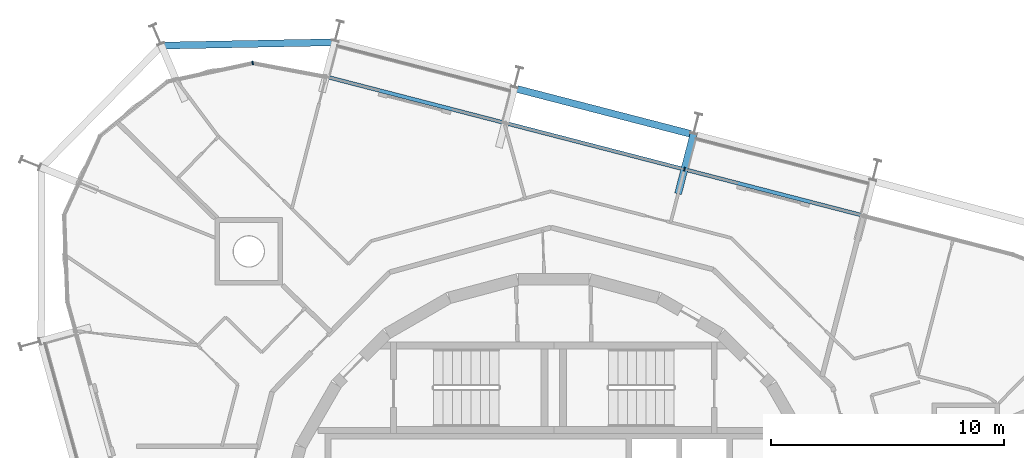
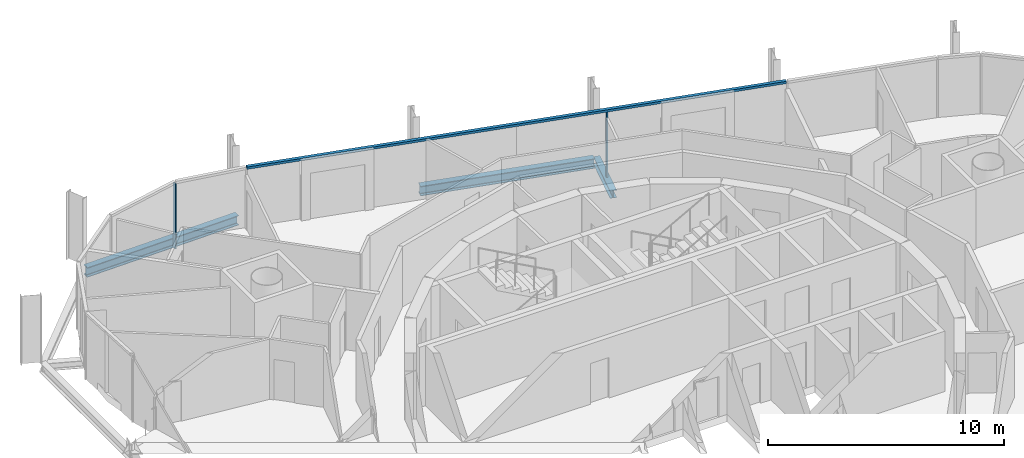
# One storey, part 6 of 15: 3 beams, 3 members, 2 elements without a shape of their own.
"""IFC4 building model written with IfcOpenShell, lengths in metres."""

from ifc_helpers import new_model, si_unit, direction, frame, origin, origin_2d, place, context, subcontext, project, spatial, rectangle, i_section, extrude, material, layer, layer_set, material_profile, profile_set, type_object, element, aggregate, save


model = new_model("IFC4")

# Units and contexts
model_context = context("Model", 3, precision=1e-05, world=origin(), true_north=direction((0.0, 1.0)))
body_context = subcontext(model_context, "Body", "Model", "MODEL_VIEW")
ifc_project = project(units=[si_unit("LENGTHUNIT", "METRE"), si_unit("AREAUNIT", "SQUARE_METRE"), si_unit("VOLUMEUNIT", "CUBIC_METRE"), si_unit("PLANEANGLEUNIT", "RADIAN"), si_unit("MASSUNIT", "GRAM", prefix="KILO")], contexts=[model_context])

# Site, building, storey
site_placement = place(None, origin())
site = spatial("IfcSite", under=ifc_project, at=site_placement, CompositionType="ELEMENT")
building_placement = place(site_placement, origin())
building = spatial("IfcBuilding", under=site, at=building_placement, Name="Spindle Arch Residences", CompositionType="ELEMENT")
storey_placement = place(building_placement, frame((0.0, 0.0, 315.699951171875)))
storey = spatial("IfcBuildingStorey", under=building, at=storey_placement, Name="L81", CompositionType="ELEMENT", Elevation=315.699951171875)

# Curtain wall, member
ifc_material_1 = material(Name="Aluminium bronze unitised frame with tinted glass", Category="aluminium")
ifc_layer_1 = layer(ifc_material_1, 0.159912109375)
ifc_layer_set_1 = layer_set([ifc_layer_1], Name="CW-C typical residential unitised wall")
curtain_wall_type_1 = type_object("IfcCurtainWallType", Name="CW-C typical residential unitised wall", PredefinedType="NOTDEFINED", material=ifc_layer_set_1)
curtain_wall_1_placement = place(storey_placement, origin())
curtain_wall_1 = element("IfcCurtainWall", 1, at=curtain_wall_1_placement, inside=storey, type_object=curtain_wall_type_1, Name="CW-C L81 run 2", PredefinedType="NOTDEFINED")
ifc_material_2 = material(Name="Aluminium bronze anodised mullion", Category="aluminium")
ifc_material_profile_1 = material_profile(ifc_material_2, rectangle(XDim=0.159912109375, YDim=0.06005859375, at=origin_2d()), Name="MU 60x160")
ifc_profile_set_1 = profile_set([ifc_material_profile_1], Name="Aluminium bronze anodised mullion")
member_type_1 = type_object("IfcMemberType", Name="Bronze mullion 60x160", PredefinedType="MULLION", material=ifc_profile_set_1)
member_1_placement = place(storey_placement, frame((5.59814453125, 16.3642578125, -0.3798828125), z_axis=(0.0, 0.0, 1.0), x_axis=(-0.250380004054, -0.968147640378, 0.0)))
member_1 = element("IfcMember", 2, at=member_1_placement, type_object=member_type_1, Name="CW-C mullion 06", PredefinedType="MULLION", context=body_context, shape_type="SweptSolid", body=[
    extrude(rectangle(XDim=0.159912109375, YDim=0.06005859375, at=origin_2d()), origin(), (0.0, 0.0, 1.0), 3.3798828125),
])

ifc_material_3 = material(Name="Aluminium bronze unitised frame with tinted glass", Category="aluminium")
ifc_layer_2 = layer(ifc_material_3, 0.159912109375)
ifc_layer_set_2 = layer_set([ifc_layer_2], Name="CW-D corner wall on the fillet arcs")
curtain_wall_type_2 = type_object("IfcCurtainWallType", Name="CW-D corner wall on the fillet arcs", PredefinedType="NOTDEFINED", material=ifc_layer_set_2)
curtain_wall_2_placement = place(storey_placement, origin())
curtain_wall_2 = element("IfcCurtainWall", 3, at=curtain_wall_2_placement, inside=storey, type_object=curtain_wall_type_2, Name="CW-D L81 run 3", PredefinedType="NOTDEFINED")
member_2_placement = place(storey_placement, frame((-12.908935546875, 20.925537109375, -0.3798828125), z_axis=(0.0, 0.0, 1.0), x_axis=(0.210756129184, -0.977538671364, 0.0)))
member_2 = element("IfcMember", 4, at=member_2_placement, type_object=member_type_1, Name="CW-D mullion 01", PredefinedType="MULLION", context=body_context, shape_type="SweptSolid", body=[
    extrude(rectangle(XDim=0.159912109375, YDim=0.06005859375, at=origin_2d()), origin(), (0.0, 0.0, 1.0), 3.3798828125),
])
aggregate(curtain_wall_2, [member_2])

# Member
ifc_material_4 = material(Name="Aluminium bronze anodised transom", Category="aluminium")
ifc_material_profile_2 = material_profile(ifc_material_4, rectangle(XDim=0.159912109375, YDim=0.1201171875, at=origin_2d()), Name="TR 120x160")
ifc_profile_set_2 = profile_set([ifc_material_profile_2], Name="Aluminium bronze anodised transom")
member_type_2 = type_object("IfcMemberType", Name="Bronze transom 120x160", PredefinedType="USERDEFINED", material=ifc_profile_set_2)
member_3_placement = place(storey_placement, frame((13.25146484375, 14.385009765625, 3.06005859375), z_axis=(-0.96814815777, 0.250378003441, 0.0), x_axis=(-0.250378003441, -0.96814815777, 0.0)))
member_3 = element("IfcMember", 5, at=member_3_placement, type_object=member_type_2, Name="CW-C transom 00", ObjectType="TRANSOM", PredefinedType="USERDEFINED", context=body_context, shape_type="SweptSolid", body=[
    extrude(rectangle(XDim=0.159912109375, YDim=0.1201171875, at=origin_2d()), origin(), (0.0, 0.0, 1.0), 23.745361328125),
])

aggregate(curtain_wall_1, [member_3, member_1])

# Beams
ifc_material_5 = material(Name="Steel S460ML, intumescent coating R 120", Category="steel")
ifc_material_profile_3 = material_profile(ifc_material_5, i_section(OverallWidth=0.300048828125, OverallDepth=0.5, WebThickness=0.014404296875, FlangeThickness=0.028076171875, FilletRadius=0.027099609375, at=origin_2d()), Name="HEB 500")
ifc_profile_set_3 = profile_set([ifc_material_profile_3], Name="Steel S460ML, intumescent coating R 120")
beam_type_1 = type_object("IfcBeamType", Name="Exoskeleton edge beam HEB 500", PredefinedType="BEAM", material=ifc_profile_set_3)
beam_1_placement = place(storey_placement, frame((5.85791015625, 17.8876953125, -0.6298828125), z_axis=(-0.968149836341, 0.250371512743, 0.0), x_axis=(-0.250371512743, -0.968149836341, 0.0)))
element("IfcBeam", 6, at=beam_1_placement, inside=storey, type_object=beam_type_1, Name="Exoskeleton edge beam 7", PredefinedType="BEAM", context=body_context, shape_type="SweptSolid", body=[
    extrude(i_section(OverallWidth=0.300048828125, OverallDepth=0.5, WebThickness=0.014404296875, FlangeThickness=0.028076171875, FilletRadius=0.027099609375, at=origin_2d()), origin(), (0.0, 0.0, 1.0), 7.675048828125),
])
beam_2_placement = place(storey_placement, frame((-9.355224609375, 21.812255859375, -0.6298828125), z_axis=(-0.999816137615, -0.019175269612, 0.0), x_axis=(0.019175269612, -0.999816137615, 0.0)))
element("IfcBeam", 7, at=beam_2_placement, inside=storey, type_object=beam_type_1, Name="Exoskeleton edge beam 9", PredefinedType="BEAM", context=body_context, shape_type="SweptSolid", body=[
    extrude(i_section(OverallWidth=0.300048828125, OverallDepth=0.5, WebThickness=0.014404296875, FlangeThickness=0.028076171875, FilletRadius=0.027099609375, at=origin_2d()), origin(), (0.0, 0.0, 1.0), 7.499267578125),
])
ifc_material_6 = material(Name="Steel S460ML, intumescent coating R 120", Category="steel")
ifc_material_profile_4 = material_profile(ifc_material_6, i_section(OverallWidth=0.300048828125, OverallDepth=0.389892578125, WebThickness=0.010986328125, FlangeThickness=0.01904296875, FilletRadius=0.027099609375, at=origin_2d()), Name="HEA 400")
ifc_profile_set_4 = profile_set([ifc_material_profile_4], Name="Steel S460ML, intumescent coating R 120")
beam_type_2 = type_object("IfcBeamType", Name="Floor outrigger HEA 400", PredefinedType="BEAM", material=ifc_profile_set_4)
beam_3_placement = place(storey_placement, frame((5.9912109375, 17.88427734375, -0.574951171875), z_axis=(-0.250396221036, -0.968143446237, 0.0), x_axis=(0.968143446237, -0.250396221036, 0.0)))
element("IfcBeam", 8, at=beam_3_placement, inside=storey, type_object=beam_type_2, Name="Floor outrigger 7", PredefinedType="BEAM", context=body_context, shape_type="SweptSolid", body=[
    extrude(i_section(OverallWidth=0.300048828125, OverallDepth=0.389892578125, WebThickness=0.010986328125, FlangeThickness=0.01904296875, FilletRadius=0.027099609375, at=origin_2d()), origin(), (0.0, 0.0, 1.0), 2.650146484375),
])

save(model, "model.ifc")
